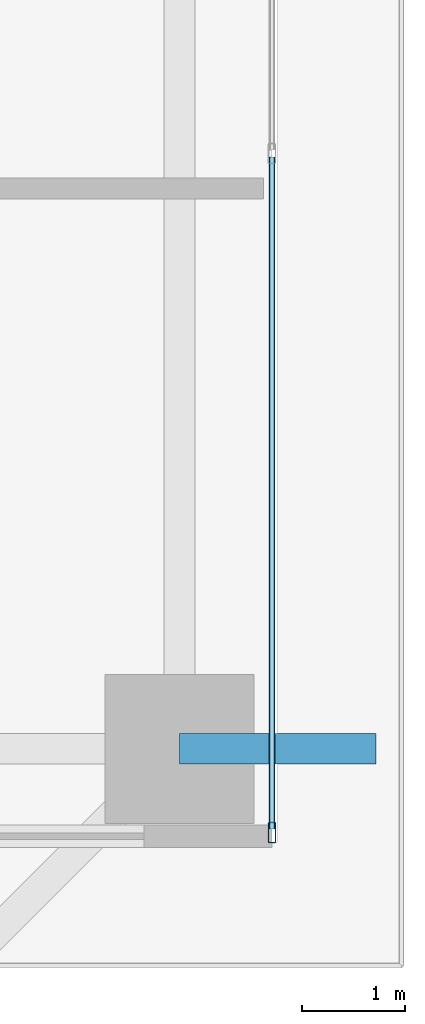
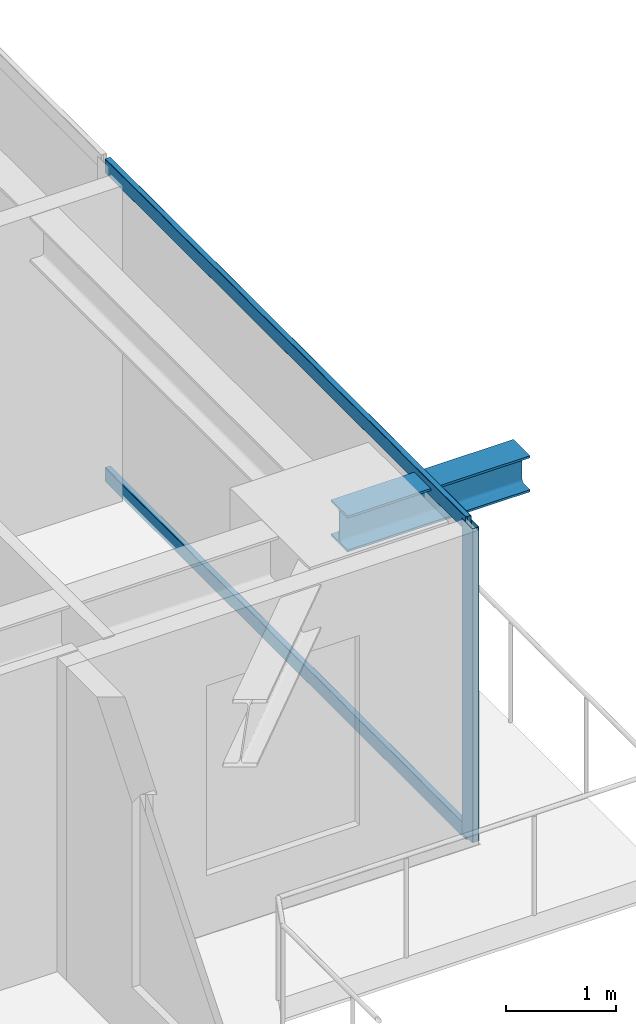
# One storey, part 12 of 34: 3 members, 1 beam, 1 element without a shape of its own.
"""IFC4 building model written with IfcOpenShell, lengths in metres."""

from ifc_helpers import new_model, si_unit, direction, frame, origin, origin_2d, place, context, subcontext, project, spatial, hollow_rectangle, i_section, extrude, source, transform, mapped, material, layer, layer_set, material_profile, profile_set, type_object, element, aggregate, save


model = new_model("IFC4")

# Units and contexts
model_context = context("Model", 3, precision=1e-05, world=origin(), true_north=direction((0.0, 1.0)))
body_context = subcontext(model_context, "Body", "Model", "MODEL_VIEW")
ifc_project = project(units=[si_unit("LENGTHUNIT", "METRE"), si_unit("AREAUNIT", "SQUARE_METRE"), si_unit("VOLUMEUNIT", "CUBIC_METRE"), si_unit("PLANEANGLEUNIT", "RADIAN"), si_unit("MASSUNIT", "GRAM", prefix="KILO")], contexts=[model_context])

# Site, building, storey
site_placement = place(None, origin())
site = spatial("IfcSite", under=ifc_project, at=site_placement, CompositionType="ELEMENT")
building_placement = place(site_placement, origin())
building = spatial("IfcBuilding", under=site, at=building_placement, Name="Serunith Strait Residences", CompositionType="ELEMENT")
storey_placement = place(building_placement, frame((0.0, 0.0, 101.699951171875)))
storey = spatial("IfcBuildingStorey", under=building, at=storey_placement, Name="L25", CompositionType="ELEMENT", Elevation=101.699951171875)

# Beam
ifc_material_1 = material(Name="Steel S355J2", Category="steel")
ifc_material_profile_1 = material_profile(ifc_material_1, i_section(OverallWidth=0.300048828125, OverallDepth=0.39990234375, WebThickness=0.013427734375, FlangeThickness=0.02392578125, FilletRadius=0.027099609375, at=origin_2d()), Name="HEB 400")
ifc_profile_set_1 = profile_set([ifc_material_profile_1], Name="Steel S355J2")
beam_type = type_object("IfcBeamType", Name="BM-HEB400", PredefinedType="BEAM", material=ifc_profile_set_1)
shared_shape_1 = source(origin(), body_context, "Body", "SweptSolid", [
    extrude(i_section(OverallWidth=0.300048828125, OverallDepth=0.39990234375, WebThickness=0.013427734375, FlangeThickness=0.02392578125, FilletRadius=0.027099609375, at=origin_2d()), origin(), (0.0, 0.0, 1.0), 1.91015625),
])
beam_placement = place(storey_placement, frame((57.89990234375, 9.449951171875, 3.257080078125), z_axis=(1.0, 0.0, 0.0), x_axis=(0.0, 1.0, 0.0)))
element("IfcBeam", 1, at=beam_placement, inside=storey, type_object=beam_type, Name="L26 Cantilevered Balcony Rib TC-E1", PredefinedType="BEAM", context=body_context, shape_type="MappedRepresentation", body=[
    mapped(shared_shape_1, transform((0.0, 0.0, 0.0), scale=1.0)),
])

# Curtain wall, members
ifc_material_2 = material(Name="Pale-Champagne Anodised Aluminium", Category="aluminium")
ifc_layer = layer(ifc_material_2, 0.199951171875, Name="Pale-Champagne Anodised Aluminium")
ifc_layer_set = layer_set([ifc_layer], Name="Pale-Champagne Anodised Aluminium")
curtain_wall_type = type_object("IfcCurtainWallType", Name="CW-SYS1", PredefinedType="NOTDEFINED", material=ifc_layer_set)
curtain_wall_placement = place(storey_placement, origin())
curtain_wall = element("IfcCurtainWall", 2, at=curtain_wall_placement, inside=storey, type_object=curtain_wall_type, Name="L25 E Unitised Fritted Curtain Wall", PredefinedType="NOTDEFINED")
ifc_material_profile_2 = material_profile(ifc_material_2, hollow_rectangle(XDim=0.070068359375, YDim=0.199951171875, WallThickness=0.00390625, InnerFilletRadius=0.006103515625, OuterFilletRadius=0.010009765625, at=origin_2d()), Name="ALU 200x70x4")
ifc_profile_set_2 = profile_set([ifc_material_profile_2], Name="Pale-Champagne Anodised Aluminium")
member_type_1 = type_object("IfcMemberType", Name="CW-SYS1-MULL", PredefinedType="MULLION", material=ifc_profile_set_2)
shared_shape_2 = source(origin(), body_context, "Body", "SweptSolid", [
    extrude(hollow_rectangle(XDim=0.070068359375, YDim=0.199951171875, WallThickness=0.00390625, InnerFilletRadius=0.006103515625, OuterFilletRadius=0.010009765625, at=origin_2d()), origin(), (0.0, 0.0, 1.0), 3.47509765625),
])
member_1_placement = place(storey_placement, frame((58.800048828125, 8.635009765625, 0.0), z_axis=(0.0, 0.0, 1.0), x_axis=(-1.0, 0.0, 0.0)))
member_1 = element("IfcMember", 3, at=member_1_placement, type_object=member_type_1, Name="CW-1 mullion 1", PredefinedType="MULLION", context=body_context, shape_type="MappedRepresentation", body=[
    mapped(shared_shape_2, transform((0.0, 0.0, 0.0), scale=1.0)),
])
ifc_material_profile_3 = material_profile(ifc_material_2, hollow_rectangle(XDim=0.06005859375, YDim=0.159912109375, WallThickness=0.00341796875, InnerFilletRadius=0.00537109375, OuterFilletRadius=0.0087890625, at=origin_2d()), Name="ALU 160x60x3.5")
ifc_profile_set_3 = profile_set([ifc_material_profile_3], Name="Pale-Champagne Anodised Aluminium")
member_type_2 = type_object("IfcMemberType", Name="CW-SYS1-TRAN", PredefinedType="USERDEFINED", material=ifc_profile_set_3)
shared_shape_3 = source(origin(), body_context, "Body", "SweptSolid", [
    extrude(hollow_rectangle(XDim=0.06005859375, YDim=0.159912109375, WallThickness=0.00341796875, InnerFilletRadius=0.00537109375, OuterFilletRadius=0.0087890625, at=origin_2d()), origin(), (0.0, 0.0, 1.0), 6.53515625),
])
member_2_placement = place(storey_placement, frame((58.800048828125, 8.669921875, 0.030029296875), z_axis=(0.0, 1.0, 0.0), x_axis=(-1.0, 0.0, 0.0)))
member_2 = element("IfcMember", 4, at=member_2_placement, type_object=member_type_2, Name="CW-1 transom 1.1", ObjectType="TRANSOM", PredefinedType="USERDEFINED", context=body_context, shape_type="MappedRepresentation", body=[
    mapped(shared_shape_3, transform((0.0, 0.0, 0.0), scale=1.0)),
])
member_3_placement = place(storey_placement, frame((58.800048828125, 8.669921875, 3.445068359375), z_axis=(0.0, 1.0, 0.0), x_axis=(-1.0, 0.0, 0.0)))
member_3 = element("IfcMember", 5, at=member_3_placement, type_object=member_type_2, Name="CW-1 transom 1.2", ObjectType="TRANSOM", PredefinedType="USERDEFINED", context=body_context, shape_type="MappedRepresentation", body=[
    mapped(shared_shape_3, transform((0.0, 0.0, 0.0), scale=1.0)),
])
aggregate(curtain_wall, [member_1, member_2, member_3])

save(model, "model.ifc")
